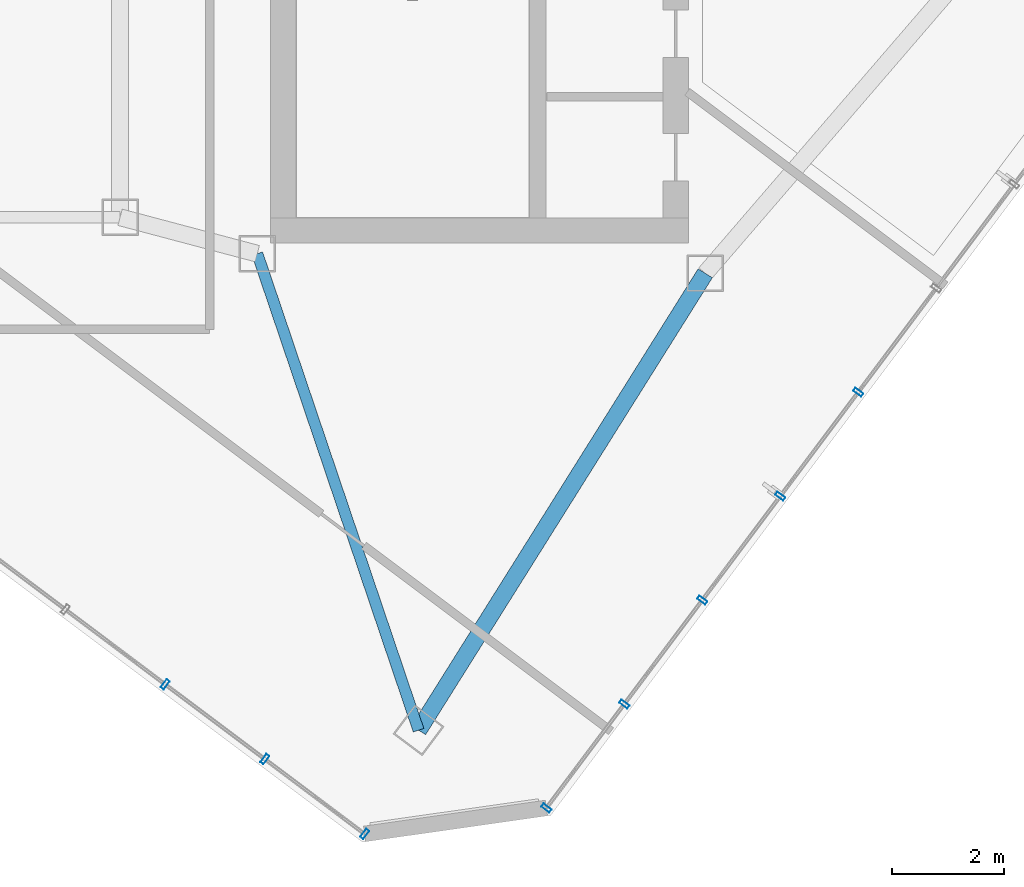
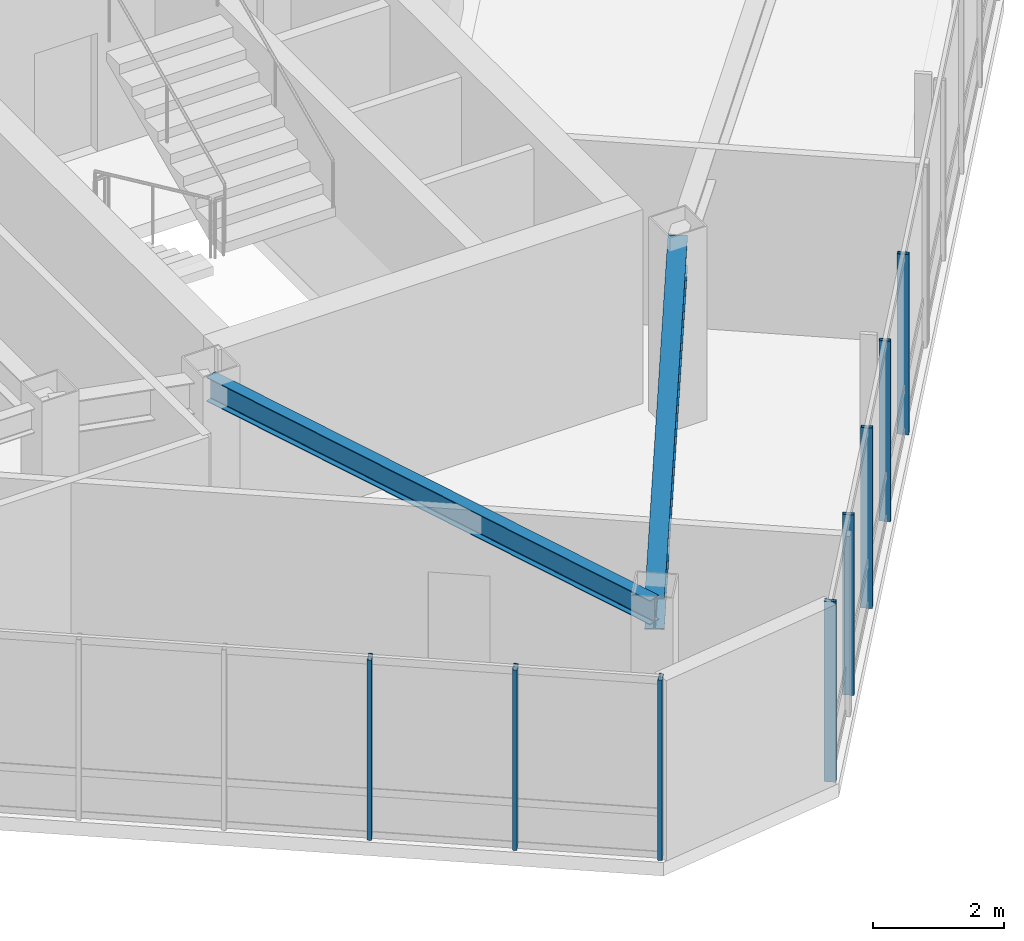
# One storey, part 5 of 18: 8 members, 2 beams, 2 elements without a shape of their own.
"""IFC4 building model written with IfcOpenShell, lengths in metres."""

from ifc_helpers import new_model, si_unit, direction, frame, origin, origin_2d, place, context, subcontext, project, spatial, hollow_rectangle, i_section, extrude, material, layer, layer_set, material_profile, profile_set, type_object, element, aggregate, save


model = new_model("IFC4")

# Units and contexts
model_context = context("Model", 3, precision=1e-05, world=origin(), true_north=direction((0.0, 1.0)))
body_context = subcontext(model_context, "Body", "Model", "MODEL_VIEW")
ifc_project = project(units=[si_unit("LENGTHUNIT", "METRE"), si_unit("AREAUNIT", "SQUARE_METRE"), si_unit("VOLUMEUNIT", "CUBIC_METRE"), si_unit("PLANEANGLEUNIT", "RADIAN"), si_unit("MASSUNIT", "GRAM", prefix="KILO")], contexts=[model_context])

# Site, building, storey
site_placement = place(None, origin())
site = spatial("IfcSite", under=ifc_project, at=site_placement, CompositionType="ELEMENT")
building_placement = place(site_placement, origin())
building = spatial("IfcBuilding", under=site, at=building_placement, Name="Hatsunagi Terrace Concourse", CompositionType="ELEMENT")
storey_placement = place(building_placement, frame((0.0, 0.0, 250.35009765625)))
storey = spatial("IfcBuildingStorey", under=building, at=storey_placement, Name="L66", CompositionType="ELEMENT", Elevation=250.35009765625)

# Curtain wall, members
ifc_material_1 = material(Name="Anodised Aluminium Alloy 6063-T5", Category="aluminium")
ifc_layer = layer(ifc_material_1, 0.199951171875)
ifc_layer_set = layer_set([ifc_layer], Name="OfficeZone2_CW04")
curtain_wall_type = type_object("IfcCurtainWallType", Name="OfficeZone2_CW04", PredefinedType="NOTDEFINED", material=ifc_layer_set)
curtain_wall_1_placement = place(storey_placement, origin())
curtain_wall_1 = element("IfcCurtainWall", 1, at=curtain_wall_1_placement, inside=storey, type_object=curtain_wall_type, Name="Unitised Curtain Wall CW-04 CW-L66-03", PredefinedType="NOTDEFINED")
ifc_material_2 = material(Name="Anodised Aluminium Alloy 6063-T5", Category="aluminium")
ifc_material_profile_1 = material_profile(ifc_material_2, hollow_rectangle(XDim=0.070068359375, YDim=0.179931640625, WallThickness=0.00390625, at=origin_2d()), Name="ALU-MUL-180x70x4")
ifc_profile_set_1 = profile_set([ifc_material_profile_1], Name="Anodised Aluminium Alloy 6063-T5")
member_type = type_object("IfcMemberType", Name="CurtainWallMullion_180x70", PredefinedType="MULLION", material=ifc_profile_set_1)
member_1_placement = place(storey_placement, frame((46.531982421875, 22.075927734375, 0.0), z_axis=(0.0, 0.0, 1.0), x_axis=(-0.599969314634, -0.800023013105, 0.0)))
member_1 = element("IfcMember", 2, at=member_1_placement, type_object=member_type, Name="Curtain Wall Mullion MUL-02", PredefinedType="MULLION", context=body_context, shape_type="SweptSolid", body=[
    extrude(hollow_rectangle(XDim=0.070068359375, YDim=0.179931640625, WallThickness=0.00390625, at=origin_2d()), origin(), (0.0, 0.0, 1.0), 3.349853515625),
])
member_2_placement = place(storey_placement, frame((45.139892578125, 20.218994140625, 0.0), z_axis=(0.0, 0.0, 1.0), x_axis=(-0.599969314634, -0.800023013105, 0.0)))
member_2 = element("IfcMember", 3, at=member_2_placement, type_object=member_type, Name="Curtain Wall Mullion MUL-02", PredefinedType="MULLION", context=body_context, shape_type="SweptSolid", body=[
    extrude(hollow_rectangle(XDim=0.070068359375, YDim=0.179931640625, WallThickness=0.00390625, at=origin_2d()), origin(), (0.0, 0.0, 1.0), 3.349853515625),
])
member_3_placement = place(storey_placement, frame((43.7470703125, 18.363037109375, 0.0), z_axis=(0.0, 0.0, 1.0), x_axis=(-0.599969314634, -0.800023013105, 0.0)))
member_3 = element("IfcMember", 4, at=member_3_placement, type_object=member_type, Name="Curtain Wall Mullion MUL-02", PredefinedType="MULLION", context=body_context, shape_type="SweptSolid", body=[
    extrude(hollow_rectangle(XDim=0.070068359375, YDim=0.179931640625, WallThickness=0.00390625, at=origin_2d()), origin(), (0.0, 0.0, 1.0), 3.349853515625),
])
member_4_placement = place(storey_placement, frame((42.35498046875, 16.506103515625, 0.0), z_axis=(0.0, 0.0, 1.0), x_axis=(-0.599969314634, -0.800023013105, 0.0)))
member_4 = element("IfcMember", 5, at=member_4_placement, type_object=member_type, Name="Curtain Wall Mullion MUL-02", PredefinedType="MULLION", context=body_context, shape_type="SweptSolid", body=[
    extrude(hollow_rectangle(XDim=0.070068359375, YDim=0.179931640625, WallThickness=0.00390625, at=origin_2d()), origin(), (0.0, 0.0, 1.0), 3.349853515625),
])
member_5_placement = place(storey_placement, frame((40.962890625, 14.64990234375, 0.0), z_axis=(0.0, 0.0, 1.0), x_axis=(-0.599969314634, -0.800023013105, 0.0)))
member_5 = element("IfcMember", 6, at=member_5_placement, type_object=member_type, Name="Curtain Wall Mullion MUL-02", PredefinedType="MULLION", context=body_context, shape_type="SweptSolid", body=[
    extrude(hollow_rectangle(XDim=0.070068359375, YDim=0.179931640625, WallThickness=0.00390625, at=origin_2d()), origin(), (0.0, 0.0, 1.0), 3.349853515625),
])
aggregate(curtain_wall_1, [member_1, member_2, member_3, member_4, member_5])

curtain_wall_2_placement = place(storey_placement, origin())
curtain_wall_2 = element("IfcCurtainWall", 7, at=curtain_wall_2_placement, inside=storey, type_object=curtain_wall_type, Name="Unitised Curtain Wall CW-04 CW-L66-05", PredefinedType="NOTDEFINED")
member_6_placement = place(storey_placement, frame((37.718017578125, 14.18701171875, 0.0), z_axis=(0.0, 0.0, 1.0), x_axis=(-0.800007305671, 0.599990258982, 0.0)))
member_6 = element("IfcMember", 8, at=member_6_placement, type_object=member_type, Name="Curtain Wall Mullion MUL-02", PredefinedType="MULLION", context=body_context, shape_type="SweptSolid", body=[
    extrude(hollow_rectangle(XDim=0.070068359375, YDim=0.179931640625, WallThickness=0.00390625, at=origin_2d()), origin(), (0.0, 0.0, 1.0), 3.349853515625),
])
member_7_placement = place(storey_placement, frame((35.93603515625, 15.52294921875, 0.0), z_axis=(0.0, 0.0, 1.0), x_axis=(-0.800007305671, 0.599990258982, 0.0)))
member_7 = element("IfcMember", 9, at=member_7_placement, type_object=member_type, Name="Curtain Wall Mullion MUL-02", PredefinedType="MULLION", context=body_context, shape_type="SweptSolid", body=[
    extrude(hollow_rectangle(XDim=0.070068359375, YDim=0.179931640625, WallThickness=0.00390625, at=origin_2d()), origin(), (0.0, 0.0, 1.0), 3.349853515625),
])
member_8_placement = place(storey_placement, frame((34.155029296875, 16.85888671875, 0.0), z_axis=(0.0, 0.0, 1.0), x_axis=(-0.800007305671, 0.599990258982, 0.0)))
member_8 = element("IfcMember", 10, at=member_8_placement, type_object=member_type, Name="Curtain Wall Mullion MUL-02", PredefinedType="MULLION", context=body_context, shape_type="SweptSolid", body=[
    extrude(hollow_rectangle(XDim=0.070068359375, YDim=0.179931640625, WallThickness=0.00390625, at=origin_2d()), origin(), (0.0, 0.0, 1.0), 3.349853515625),
])
aggregate(curtain_wall_2, [member_6, member_7, member_8])

# Beams
ifc_material_3 = material(Name="Steel SN490B", Category="steel")
ifc_material_profile_2 = material_profile(ifc_material_3, i_section(OverallWidth=0.300048828125, OverallDepth=0.587890625, WebThickness=0.011962890625, FlangeThickness=0.02001953125, FilletRadius=0.01806640625, at=origin_2d()), Name="H-588x300x12x20")
ifc_profile_set_2 = profile_set([ifc_material_profile_2], Name="Steel SN490B")
beam_type_1 = type_object("IfcBeamType", Name="OfficeHighGirder_H_588x300", PredefinedType="BEAM", material=ifc_profile_set_2)
beam_1_placement = place(storey_placement, frame((38.679931640625, 16.0400390625, 3.055908203125), z_axis=(0.531503907049, 0.847055840421, 0.0), x_axis=(-0.847055840421, 0.531503907049, 0.0)))
element("IfcBeam", 11, at=beam_1_placement, inside=storey, type_object=beam_type_1, Name="Beam G-06 BM-L66-SET-1A", PredefinedType="BEAM", context=body_context, shape_type="SweptSolid", body=[
    extrude(i_section(OverallWidth=0.300048828125, OverallDepth=0.587890625, WebThickness=0.011962890625, FlangeThickness=0.02001953125, FilletRadius=0.01806640625, at=origin_2d()), origin(), (0.0, 0.0, 1.0), 9.63330078125),
])
ifc_material_4 = material(Name="Steel SN490B", Category="steel")
ifc_material_profile_3 = material_profile(ifc_material_4, i_section(OverallWidth=0.199951171875, OverallDepth=0.449951171875, WebThickness=0.009033203125, FlangeThickness=0.013916015625, FilletRadius=0.01611328125, at=origin_2d()), Name="H-450x200x9x14")
ifc_profile_set_3 = profile_set([ifc_material_profile_3], Name="Steel SN490B")
beam_type_2 = type_object("IfcBeamType", Name="PerimeterSpandrel_H_450x200", PredefinedType="SPANDREL", material=ifc_profile_set_3)
beam_2_placement = place(storey_placement, frame((35.800048828125, 24.550048828125, 3.125), z_axis=(0.320553412271, -0.947230441805, 0.0), x_axis=(0.947230441805, 0.320553412271, 0.0)))
element("IfcBeam", 12, at=beam_2_placement, inside=storey, type_object=beam_type_2, Name="Beam SP-02 BM-L66-SE-SW0", PredefinedType="SPANDREL", context=body_context, shape_type="SweptSolid", body=[
    extrude(i_section(OverallWidth=0.199951171875, OverallDepth=0.449951171875, WebThickness=0.009033203125, FlangeThickness=0.013916015625, FilletRadius=0.01611328125, at=origin_2d()), origin(), (0.0, 0.0, 1.0), 8.984130859375),
])

save(model, "model.ifc")
